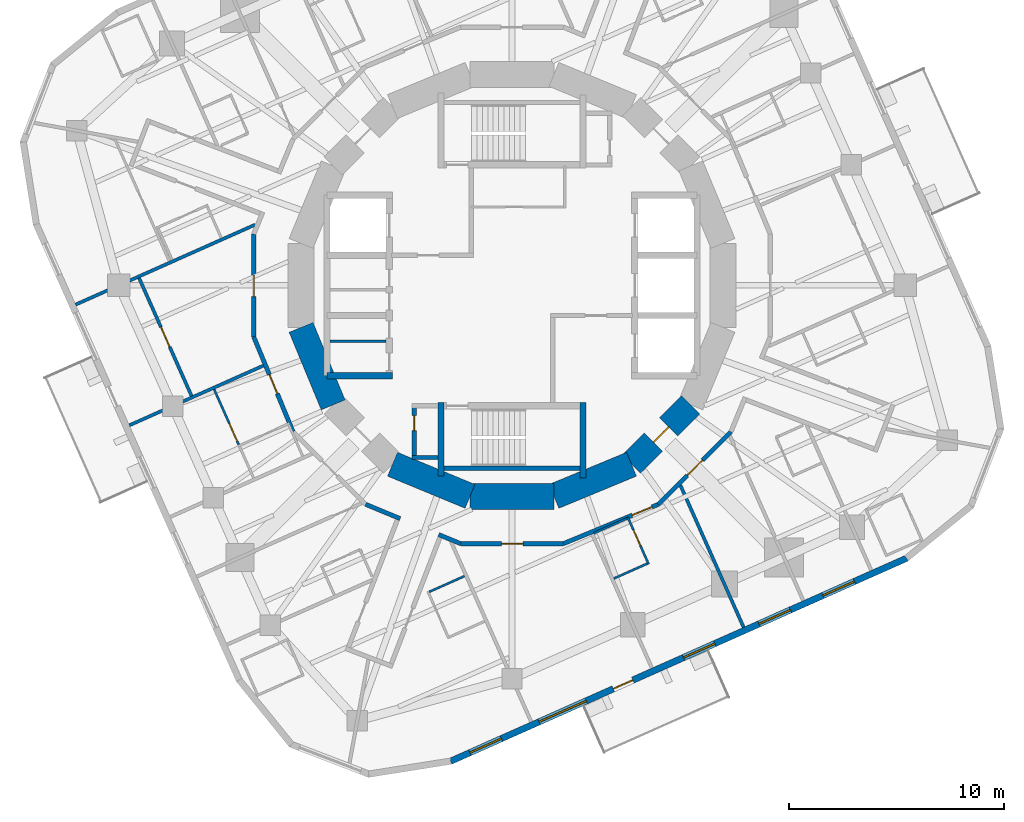
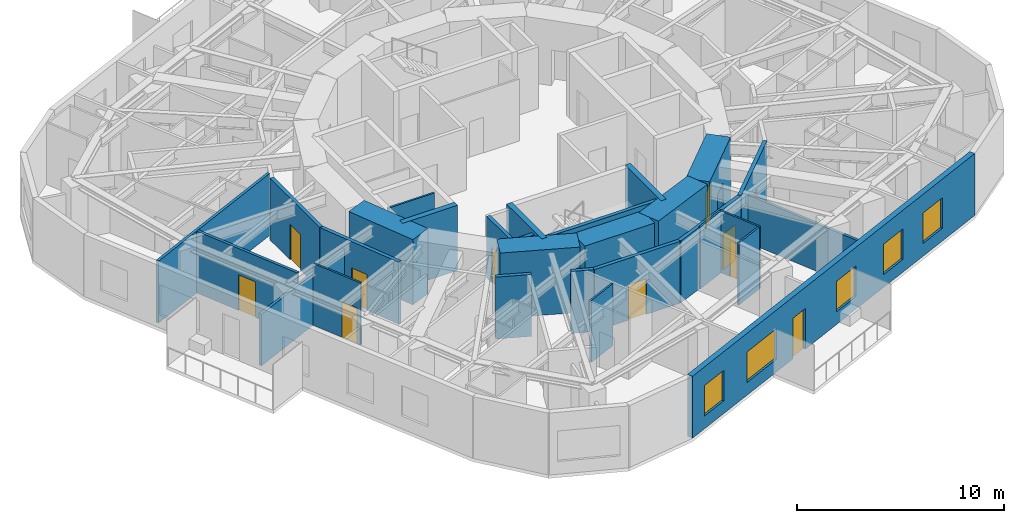
# One storey, part 5 of 12: 29 walls, 11 doors, 5 windows, 16 openings.
"""IFC4 building model written with IfcOpenShell, lengths in metres."""

from ifc_helpers import new_model, si_unit, direction, frame, frame_2d, origin, place, context, subcontext, project, spatial, rectangle, extrude, material, layer, layer_set, type_object, element, fill, save


model = new_model("IFC4")

# Units and contexts
model_context = context("Model", 3, precision=1e-05, world=origin(), true_north=direction((0.0, 1.0)))
body_context = subcontext(model_context, "Body", "Model", "MODEL_VIEW")
ifc_project = project(units=[si_unit("LENGTHUNIT", "METRE"), si_unit("AREAUNIT", "SQUARE_METRE"), si_unit("VOLUMEUNIT", "CUBIC_METRE"), si_unit("PLANEANGLEUNIT", "RADIAN"), si_unit("MASSUNIT", "GRAM", prefix="KILO")], contexts=[model_context])

# Site, building, storey
site_placement = place(None, origin())
site = spatial("IfcSite", under=ifc_project, at=site_placement, CompositionType="ELEMENT")
building_placement = place(site_placement, origin())
building = spatial("IfcBuilding", under=site, at=building_placement, Name="Nakasero Lantern House", CompositionType="ELEMENT")
storey_placement = place(building_placement, frame((0.0, 0.0, 213.25)))
storey = spatial("IfcBuildingStorey", under=building, at=storey_placement, Name="L52", CompositionType="ELEMENT", Elevation=213.25)

# Walls
ifc_material_1 = material(Name="Concrete C50/60", Category="concrete")
ifc_layer_1 = layer(ifc_material_1, 0.300048828125)
ifc_layer_set_1 = layer_set([ifc_layer_1], Name="Core inner wall 300")
wall_type_1 = type_object("IfcWallType", Name="Core inner wall 300", PredefinedType="SHEAR", material=ifc_layer_set_1)
wall_1_placement = place(storey_placement, frame((-8.60009765625, -4.199951171875, 0.0), z_axis=(0.0, 0.0, 1.0), x_axis=(1.0, 0.0, 0.0)))
element("IfcWall", 1, at=wall_1_placement, inside=storey, type_object=wall_type_1, Name="Core inner wall L52 LWS", PredefinedType="SHEAR", context=body_context, shape_type="SweptSolid", body=[
    extrude(rectangle(XDim=3.050048828125, YDim=0.300048828125, at=frame_2d((1.52490234375, 0.0))), origin(), (0.0, 0.0, 1.0), 3.85009765625),
])
wall_2_placement = place(storey_placement, frame((-3.300048828125, -5.449951171875, 0.0), z_axis=(0.0, 0.0, 1.0), x_axis=(0.0, -1.0, 0.0)))
element("IfcWall", 2, at=wall_2_placement, inside=storey, type_object=wall_type_1, Name="Core inner wall L52 SSW", PredefinedType="SHEAR", context=body_context, shape_type="SweptSolid", body=[
    extrude(rectangle(XDim=3.400146484375, YDim=0.300048828125, at=frame_2d((1.7001953125, 0.0))), origin(), (0.0, 0.0, 1.0), 3.85009765625),
])
wall_3_placement = place(storey_placement, frame((3.300048828125, -5.449951171875, 0.0), z_axis=(0.0, 0.0, 1.0), x_axis=(0.0, -1.0, 0.0)))
element("IfcWall", 3, at=wall_3_placement, inside=storey, type_object=wall_type_1, Name="Core inner wall L52 SSE", PredefinedType="SHEAR", context=body_context, shape_type="SweptSolid", body=[
    extrude(rectangle(XDim=3.5, YDim=0.300048828125, at=frame_2d((1.75, 0.0))), origin(), (0.0, 0.0, 1.0), 3.85009765625),
])
ifc_material_2 = material(Name="Blockwork", Category="masonry")
ifc_layer_2 = layer(ifc_material_2, 0.10009765625)
ifc_layer_set_2 = layer_set([ifc_layer_2], Name="Core room wall 100")
wall_type_2 = type_object("IfcWallType", Name="Core room wall 100", PredefinedType="PARTITIONING", material=ifc_layer_set_2)
wall_4_placement = place(storey_placement, frame((-8.449951171875, -2.60009765625, 0.0), z_axis=(0.0, 0.0, 1.0), x_axis=(1.0, 0.0, 0.0)))
element("IfcWall", 4, at=wall_4_placement, inside=storey, type_object=wall_type_2, Name="Core room wall L52 CR-SH-LW1b", PredefinedType="PARTITIONING", context=body_context, shape_type="SweptSolid", body=[
    extrude(rectangle(XDim=2.599853515625, YDim=0.10009765625, at=frame_2d((1.2998046875, 0.0))), origin(), (0.0, 0.0, 1.0), 3.64990234375),
])
ifc_material_3 = material(Name="Concrete C50/60", Category="concrete")
ifc_layer_3 = layer(ifc_material_3, 1.199951171875)
ifc_layer_set_3 = layer_set([ifc_layer_3], Name="Core wall 1200")
wall_type_3 = type_object("IfcWallType", Name="Core wall 1200", PredefinedType="SHEAR", material=ifc_layer_set_3)
for number, where, z_axis, x_axis, name in (
    (5, (-9.807861328125, -1.950927734375, 0.0), (0.0, 0.0, 1.0), (0.382690736062, -0.923876507187, 0.0), "Core wall L52 facet 9"),
    (6, (-5.5556640625, -8.314697265625, 0.0), (0.0, 0.0, 1.0), (0.923876507187, -0.382690736062, 0.0), "Core wall L52 facet 11"),
    (7, (-1.950927734375, -9.807861328125, 0.0), (0.0, 0.0, 1.0), (1.0, 0.0, 0.0), "Core wall L52 facet 12"),
    (8, (1.950927734375, -9.807861328125, 0.0), (0.0, 0.0, 1.0), (0.923876507187, 0.382690736062, 0.0), "Core wall L52 facet 13"),
):
    element("IfcWall", number, at=place(storey_placement, frame(where, z_axis=z_axis, x_axis=x_axis)), inside=storey, type_object=wall_type_3, Name=name, PredefinedType="SHEAR", context=body_context, shape_type="SweptSolid", body=[
        extrude(rectangle(XDim=3.90185546875, YDim=1.199951171875, at=frame_2d((1.950927734375, 0.0))), origin(), (0.0, 0.0, 1.0), 3.85009765625),
    ])

# Wall, opening, door
wall_5_placement = place(storey_placement, frame((5.5556640625, -8.314697265625, 0.0), z_axis=(0.0, 0.0, 1.0), x_axis=(0.707106781187, 0.707106781187, 0.0)))
wall_5 = element("IfcWall", 9, at=wall_5_placement, inside=storey, type_object=wall_type_3, Name="Core wall L52 facet 14", PredefinedType="SHEAR", context=body_context, shape_type="SweptSolid", body=[
    extrude(rectangle(XDim=3.90185546875, YDim=1.199951171875, at=frame_2d((1.950927734375, 0.0))), origin(), (0.0, 0.0, 1.0), 3.85009765625),
])
opening_1_placement = place(wall_5_placement, frame((1.450927734375, 0.0, 0.0)))
opening_1 = element("IfcOpeningElement", 10, at=opening_1_placement, cuts=wall_5, Name="Opening D05", PredefinedType="OPENING", context=body_context, shape_type="SweptSolid", body=[
    extrude(rectangle(XDim=1.0, YDim=2.10009765625, at=frame_2d((0.5, 1.050048828125))), frame((0.0, 0.619873046875, 0.0), z_axis=(0.0, -1.0, 0.0), x_axis=(1.0, 0.0, 0.0)), (0.0, 0.0, 1.0), 1.239990234375),
])
ifc_material_4 = material(Name="Timber C24", Category="wood")
door_type_1 = type_object("IfcDoorType", Name="Core door FD60S 1000", OperationType="SINGLE_SWING_LEFT", PredefinedType="DOOR", material=ifc_material_4)
door_1_placement = place(opening_1_placement, origin())
door_1 = element("IfcDoor", 11, at=door_1_placement, inside=storey, type_object=door_type_1, Name="Door L52 D-CORE14", OperationType="SINGLE_SWING_LEFT", OverallHeight=2.10009765625, OverallWidth=1.0, PredefinedType="DOOR", context=body_context, shape_type="SweptSolid", body=[
    extrude(rectangle(XDim=1.0, YDim=2.10009765625, at=frame_2d((0.5, 1.050048828125))), frame((0.0, 0.02490234375, 0.0), z_axis=(0.0, -1.0, 0.0), x_axis=(1.0, 0.0, 0.0)), (0.0, 0.0, 1.0), 0.050048828125),
])
fill(opening_1, door_1)

ifc_material_5 = material(Name="Blockwork", Category="masonry")
ifc_layer_4 = layer(ifc_material_5, 0.199951171875)
ifc_layer_set_4 = layer_set([ifc_layer_4], Name="Corridor wall 200")
wall_type_4 = type_object("IfcWallType", Name="Corridor wall 200", PredefinedType="PARTITIONING", material=ifc_layer_set_4)
wall_6_placement = place(storey_placement, frame((10.1796875, -6.802001953125, 0.0), z_axis=(0.0, 0.0, 1.0), x_axis=(-0.707106781187, -0.707106781187, 0.0)))
wall_6 = element("IfcWall", 12, at=wall_6_placement, inside=storey, type_object=wall_type_4, Name="Corridor wall L52 RC02a", PredefinedType="PARTITIONING", context=body_context, shape_type="SweptSolid", body=[
    extrude(rectangle(XDim=4.77685546875, YDim=0.199951171875, at=frame_2d((2.388427734375, 0.0))), origin(), (0.0, 0.0, 1.0), 3.64990234375),
])
opening_2_placement = place(wall_6_placement, frame((1.8701171875, 0.0, 0.0)))
opening_2 = element("IfcOpeningElement", 13, at=opening_2_placement, cuts=wall_6, Name="Opening D14", PredefinedType="OPENING", context=body_context, shape_type="SweptSolid", body=[
    extrude(rectangle(XDim=1.0, YDim=2.10009765625, at=frame_2d((0.5, 1.050048828125))), frame((0.0, 0.119873046875, 0.0), z_axis=(0.0, -1.0, 0.0), x_axis=(1.0, 0.0, 0.0)), (0.0, 0.0, 1.0), 0.239990234375),
])
ifc_material_6 = material(Name="Timber C24", Category="wood")
door_type_2 = type_object("IfcDoorType", Name="Cluster entrance door FD30S 1000", OperationType="SINGLE_SWING_LEFT", PredefinedType="DOOR", material=ifc_material_6)
door_2_placement = place(opening_2_placement, origin())
door_2 = element("IfcDoor", 14, at=door_2_placement, inside=storey, type_object=door_type_2, Name="Door L52 D3-04", OperationType="SINGLE_SWING_LEFT", OverallHeight=2.10009765625, OverallWidth=1.0, PredefinedType="DOOR", context=body_context, shape_type="SweptSolid", body=[
    extrude(rectangle(XDim=1.0, YDim=2.10009765625, at=frame_2d((0.5, 1.050048828125))), frame((0.0, 0.02490234375, 0.0), z_axis=(0.0, -1.0, 0.0), x_axis=(1.0, 0.0, 0.0)), (0.0, 0.0, 1.0), 0.050048828125),
])
fill(opening_2, door_2)

wall_7_placement = place(storey_placement, frame((6.802001953125, -10.1796875, 0.0), z_axis=(0.0, 0.0, 1.0), x_axis=(-0.923882292998, -0.382676767893, 0.0)))
wall_7 = element("IfcWall", 15, at=wall_7_placement, inside=storey, type_object=wall_type_4, Name="Corridor wall L52 RC03a", PredefinedType="PARTITIONING", context=body_context, shape_type="SweptSolid", body=[
    extrude(rectangle(XDim=4.777099609375, YDim=0.199951171875, at=frame_2d((2.388671875, 0.0))), origin(), (0.0, 0.0, 1.0), 3.64990234375),
])
opening_3_placement = place(wall_7_placement, frame((0.320068359375, 0.0, 0.0)))
opening_3 = element("IfcOpeningElement", 16, at=opening_3_placement, cuts=wall_7, Name="Opening D07", PredefinedType="OPENING", context=body_context, shape_type="SweptSolid", body=[
    extrude(rectangle(XDim=1.0, YDim=2.10009765625, at=frame_2d((0.5, 1.050048828125))), frame((0.0, 0.119873046875, 0.0), z_axis=(0.0, -1.0, 0.0), x_axis=(1.0, 0.0, 0.0)), (0.0, 0.0, 1.0), 0.239990234375),
])
ifc_material_7 = material(Name="Timber C24", Category="wood")
door_type_3 = type_object("IfcDoorType", Name="Room door FD30S 1000", OperationType="SINGLE_SWING_LEFT", PredefinedType="DOOR", material=ifc_material_7)
door_3_placement = place(opening_3_placement, origin())
door_3 = element("IfcDoor", 17, at=door_3_placement, inside=storey, type_object=door_type_3, Name="Door L52 D3-03", OperationType="SINGLE_SWING_LEFT", OverallHeight=2.10009765625, OverallWidth=1.0, PredefinedType="DOOR", context=body_context, shape_type="SweptSolid", body=[
    extrude(rectangle(XDim=1.0, YDim=2.10009765625, at=frame_2d((0.5, 1.050048828125))), frame((0.0, 0.02490234375, 0.0), z_axis=(0.0, -1.0, 0.0), x_axis=(1.0, 0.0, 0.0)), (0.0, 0.0, 1.0), 0.050048828125),
])
fill(opening_3, door_3)

wall_8_placement = place(storey_placement, frame((2.388427734375, -12.0078125, 0.0), z_axis=(0.0, 0.0, 1.0), x_axis=(-1.0, 0.0, 0.0)))
wall_8 = element("IfcWall", 18, at=wall_8_placement, inside=storey, type_object=wall_type_4, Name="Corridor wall L52 RC04a", PredefinedType="PARTITIONING", context=body_context, shape_type="SweptSolid", body=[
    extrude(rectangle(XDim=4.77685546875, YDim=0.199951171875, at=frame_2d((2.388427734375, 0.0))), origin(), (0.0, 0.0, 1.0), 3.64990234375),
])
opening_4_placement = place(wall_8_placement, frame((1.8701171875, 0.0, 0.0)))
opening_4 = element("IfcOpeningElement", 19, at=opening_4_placement, cuts=wall_8, Name="Opening D03", PredefinedType="OPENING", context=body_context, shape_type="SweptSolid", body=[
    extrude(rectangle(XDim=1.0, YDim=2.10009765625, at=frame_2d((0.5, 1.050048828125))), frame((0.0, 0.119873046875, 0.0), z_axis=(0.0, -1.0, 0.0), x_axis=(1.0, 0.0, 0.0)), (0.0, 0.0, 1.0), 0.239990234375),
])
ifc_material_8 = material(Name="Timber C24", Category="wood")
door_type_4 = type_object("IfcDoorType", Name="Lounge door FD30S 1000", OperationType="SINGLE_SWING_LEFT", PredefinedType="DOOR", material=ifc_material_8)
door_4_placement = place(opening_4_placement, origin())
door_4 = element("IfcDoor", 20, at=door_4_placement, inside=storey, type_object=door_type_4, Name="Door L52 DK3", OperationType="SINGLE_SWING_LEFT", OverallHeight=2.10009765625, OverallWidth=1.0, PredefinedType="DOOR", context=body_context, shape_type="SweptSolid", body=[
    extrude(rectangle(XDim=1.0, YDim=2.10009765625, at=frame_2d((0.5, 1.050048828125))), frame((0.0, 0.02490234375, 0.0), z_axis=(0.0, -1.0, 0.0), x_axis=(1.0, 0.0, 0.0)), (0.0, 0.0, 1.0), 0.050048828125),
])
fill(opening_4, door_4)

# Walls
wall_9_placement = place(storey_placement, frame((-2.388427734375, -12.0078125, 0.0), z_axis=(0.0, 0.0, 1.0), x_axis=(-0.923892830031, 0.382651327736, 0.0)))
element("IfcWall", 21, at=wall_9_placement, inside=storey, type_object=wall_type_4, Name="Corridor wall L52 RC05a", PredefinedType="PARTITIONING", context=body_context, shape_type="SweptSolid", body=[
    extrude(rectangle(XDim=1.103759765625, YDim=0.199951171875, at=frame_2d((0.5517578125, 0.0))), origin(), (0.0, 0.0, 1.0), 3.64990234375),
])
wall_10_placement = place(storey_placement, frame((-5.201171875, -10.8427734375, 0.0), z_axis=(0.0, 0.0, 1.0), x_axis=(-0.923879449244, 0.382683633391, 0.0)))
element("IfcWall", 22, at=wall_10_placement, inside=storey, type_object=wall_type_4, Name="Corridor wall L52 RC05b", PredefinedType="PARTITIONING", context=body_context, shape_type="SweptSolid", body=[
    extrude(rectangle(XDim=1.732666015625, YDim=0.199951171875, at=frame_2d((0.8662109375, 0.0))), origin(), (0.0, 0.0, 1.0), 3.64990234375),
])

# Wall, opening, door
wall_11_placement = place(storey_placement, frame((-10.1796875, -6.802001953125, 0.0), z_axis=(0.0, 0.0, 1.0), x_axis=(-0.382676767893, 0.923882292998, 0.0)))
wall_11 = element("IfcWall", 23, at=wall_11_placement, inside=storey, type_object=wall_type_4, Name="Corridor wall L52 RC07a", PredefinedType="PARTITIONING", context=body_context, shape_type="SweptSolid", body=[
    extrude(rectangle(XDim=4.777099609375, YDim=0.199951171875, at=frame_2d((2.388671875, 0.0))), origin(), (0.0, 0.0, 1.0), 3.64990234375),
])
opening_5_placement = place(wall_11_placement, frame((1.919921875, 0.0, 0.0)))
opening_5 = element("IfcOpeningElement", 24, at=opening_5_placement, cuts=wall_11, Name="Opening D01", PredefinedType="OPENING", context=body_context, shape_type="SweptSolid", body=[
    extrude(rectangle(XDim=0.949951171875, YDim=2.10009765625, at=frame_2d((0.47509765625, 1.050048828125))), frame((0.0, 0.119873046875, 0.0), z_axis=(0.0, -1.0, 0.0), x_axis=(1.0, 0.0, 0.0)), (0.0, 0.0, 1.0), 0.239990234375),
])
ifc_material_9 = material(Name="Timber C24", Category="wood")
door_type_5 = type_object("IfcDoorType", Name="Bedroom door FD30S 950", OperationType="SINGLE_SWING_LEFT", PredefinedType="DOOR", material=ifc_material_9)
door_5_placement = place(opening_5_placement, origin())
door_5 = element("IfcDoor", 25, at=door_5_placement, inside=storey, type_object=door_type_5, Name="Door L52 D2-03", OperationType="SINGLE_SWING_RIGHT", OverallHeight=2.10009765625, OverallWidth=0.949951171875, PredefinedType="DOOR", context=body_context, shape_type="SweptSolid", body=[
    extrude(rectangle(XDim=0.949951171875, YDim=2.10009765625, at=frame_2d((0.47509765625, 1.050048828125))), frame((0.0, 0.02490234375, 0.0), z_axis=(0.0, -1.0, 0.0), x_axis=(1.0, 0.0, 0.0)), (0.0, 0.0, 1.0), 0.050048828125),
])
fill(opening_5, door_5)

wall_12_placement = place(storey_placement, frame((-12.0078125, -2.388427734375, 0.0), z_axis=(0.0, 0.0, 1.0), x_axis=(0.0, 1.0, 0.0)))
wall_12 = element("IfcWall", 26, at=wall_12_placement, inside=storey, type_object=wall_type_4, Name="Corridor wall L52 RC08a", PredefinedType="PARTITIONING", context=body_context, shape_type="SweptSolid", body=[
    extrude(rectangle(XDim=4.77685546875, YDim=0.199951171875, at=frame_2d((2.388427734375, 0.0))), origin(), (0.0, 0.0, 1.0), 3.64990234375),
])
opening_6_placement = place(wall_12_placement, frame((1.8701171875, 0.0, 0.0)))
opening_6 = element("IfcOpeningElement", 27, at=opening_6_placement, cuts=wall_12, Name="Opening D03", PredefinedType="OPENING", context=body_context, shape_type="SweptSolid", body=[
    extrude(rectangle(XDim=1.0, YDim=2.10009765625, at=frame_2d((0.5, 1.050048828125))), frame((0.0, 0.119873046875, 0.0), z_axis=(0.0, -1.0, 0.0), x_axis=(1.0, 0.0, 0.0)), (0.0, 0.0, 1.0), 0.239990234375),
])
door_6_placement = place(opening_6_placement, origin())
door_6 = element("IfcDoor", 28, at=door_6_placement, inside=storey, type_object=door_type_4, Name="Door L52 DK2", OperationType="SINGLE_SWING_LEFT", OverallHeight=2.10009765625, OverallWidth=1.0, PredefinedType="DOOR", context=body_context, shape_type="SweptSolid", body=[
    extrude(rectangle(XDim=1.0, YDim=2.10009765625, at=frame_2d((0.5, 1.050048828125))), frame((0.0, 0.02490234375, 0.0), z_axis=(0.0, -1.0, 0.0), x_axis=(1.0, 0.0, 0.0)), (0.0, 0.0, 1.0), 0.050048828125),
])
fill(opening_6, door_6)

# Wall
ifc_material_10 = material(Name="Blockwork", Category="masonry")
ifc_layer_5 = layer(ifc_material_10, 0.10009765625)
ifc_layer_set_5 = layer_set([ifc_layer_5], Name="En-suite wall 100")
wall_type_5 = type_object("IfcWallType", Name="En-suite wall 100", PredefinedType="PARTITIONING", material=ifc_layer_set_5)
wall_13_placement = place(storey_placement, frame((-3.84814453125, -14.246826171875, 0.0), z_axis=(0.0, 0.0, 1.0), x_axis=(0.913576462288, 0.406666998358, 0.0)))
element("IfcWall", 29, at=wall_13_placement, inside=storey, type_object=wall_type_5, Name="En-suite wall L52 EI3-00", PredefinedType="PARTITIONING", context=body_context, shape_type="SweptSolid", body=[
    extrude(rectangle(XDim=1.7998046875, YDim=0.10009765625, at=frame_2d((0.89990234375, 0.0))), origin(), (0.0, 0.0, 1.0), 3.64990234375),
])

# Wall, opening, door
wall_14_placement = place(storey_placement, frame((5.376953125, -10.7685546875, 0.0), z_axis=(0.0, 0.0, 1.0), x_axis=(0.406685806039, -0.913568090055, 0.0)))
wall_14 = element("IfcWall", 30, at=wall_14_placement, inside=storey, type_object=wall_type_5, Name="En-suite wall L52 ES3-03", PredefinedType="PARTITIONING", context=body_context, shape_type="SweptSolid", body=[
    extrude(rectangle(XDim=2.400146484375, YDim=0.10009765625, at=frame_2d((1.2001953125, 0.0))), origin(), (0.0, 0.0, 1.0), 3.64990234375),
])
opening_7_placement = place(wall_14_placement, frame((0.64990234375, 0.0, 0.0)))
opening_7 = element("IfcOpeningElement", 31, at=opening_7_placement, cuts=wall_14, Name="Opening D15", PredefinedType="OPENING", context=body_context, shape_type="SweptSolid", body=[
    extrude(rectangle(XDim=0.800048828125, YDim=2.10009765625, at=frame_2d((0.39990234375, 1.050048828125))), frame((0.0, 0.070068359375, 0.0), z_axis=(0.0, -1.0, 0.0), x_axis=(1.0, 0.0, 0.0)), (0.0, 0.0, 1.0), 0.14013671875),
])
ifc_material_11 = material(Name="Timber C24", Category="wood")
door_type_6 = type_object("IfcDoorType", Name="Cleaner's store door FD30S 800", OperationType="SINGLE_SWING_LEFT", PredefinedType="DOOR", material=ifc_material_11)
door_7_placement = place(opening_7_placement, origin())
door_7 = element("IfcDoor", 32, at=door_7_placement, inside=storey, type_object=door_type_6, Name="Door L52 DE3-03", OperationType="SINGLE_SWING_LEFT", OverallHeight=2.10009765625, OverallWidth=0.800048828125, PredefinedType="DOOR", context=body_context, shape_type="SweptSolid", body=[
    extrude(rectangle(XDim=0.800048828125, YDim=2.10009765625, at=frame_2d((0.39990234375, 1.050048828125))), frame((0.0, 0.02490234375, 0.0), z_axis=(0.0, -1.0, 0.0), x_axis=(1.0, 0.0, 0.0)), (0.0, 0.0, 1.0), 0.050048828125),
])
fill(opening_7, door_7)

# Walls
for number, where, z_axis, x_axis, name in (
    (33, (4.734130859375, -13.627197265625, 0.0), (0.0, 0.0, 1.0), (0.913550776237, 0.406724697108, 0.0), "En-suite wall L52 EE3-03"),
    (34, (3.798583984375, -11.526123046875, 0.0), (0.0, 0.0, 1.0), (0.913550776237, 0.406724697108, 0.0), "En-suite wall L52 EI3-03"),
):
    element("IfcWall", number, at=place(storey_placement, frame(where, z_axis=z_axis, x_axis=x_axis)), inside=storey, type_object=wall_type_5, Name=name, PredefinedType="PARTITIONING", context=body_context, shape_type="SweptSolid", body=[
        extrude(rectangle(XDim=1.699951171875, YDim=0.10009765625, at=frame_2d((0.85009765625, 0.0))), origin(), (0.0, 0.0, 1.0), 3.64990234375),
    ])

# Wall, opening, door
wall_15_placement = place(storey_placement, frame((-13.848388671875, -4.83251953125, 0.0), z_axis=(0.0, 0.0, 1.0), x_axis=(0.406701600856, -0.913561058639, 0.0)))
wall_15 = element("IfcWall", 35, at=wall_15_placement, inside=storey, type_object=wall_type_5, Name="En-suite wall L52 EL2-03", PredefinedType="PARTITIONING", context=body_context, shape_type="SweptSolid", body=[
    extrude(rectangle(XDim=2.8154296875, YDim=0.10009765625, at=frame_2d((1.40771484375, 0.0))), origin(), (0.0, 0.0, 1.0), 3.64990234375),
])
opening_8_placement = place(wall_15_placement, frame((1.71533203125, 0.0, 0.0)))
opening_8 = element("IfcOpeningElement", 36, at=opening_8_placement, cuts=wall_15, Name="Opening D17", PredefinedType="OPENING", context=body_context, shape_type="SweptSolid", body=[
    extrude(rectangle(XDim=0.89990234375, YDim=2.10009765625, at=frame_2d((0.449951171875, 1.050048828125))), frame((0.0, 0.070068359375, 0.0), z_axis=(0.0, -1.0, 0.0), x_axis=(1.0, 0.0, 0.0)), (0.0, 0.0, 1.0), 0.14013671875),
])
ifc_material_12 = material(Name="Timber C24", Category="wood")
door_type_7 = type_object("IfcDoorType", Name="Bedroom door FD30S 900", OperationType="SINGLE_SWING_LEFT", PredefinedType="DOOR", material=ifc_material_12)
door_8_placement = place(opening_8_placement, origin())
door_8 = element("IfcDoor", 37, at=door_8_placement, inside=storey, type_object=door_type_7, Name="Door L52 DL2-03", OperationType="SINGLE_SWING_RIGHT", OverallHeight=2.10009765625, OverallWidth=0.89990234375, PredefinedType="DOOR", context=body_context, shape_type="SweptSolid", body=[
    extrude(rectangle(XDim=0.89990234375, YDim=2.10009765625, at=frame_2d((0.449951171875, 1.050048828125))), frame((0.0, 0.02490234375, 0.0), z_axis=(0.0, -1.0, 0.0), x_axis=(1.0, 0.0, 0.0)), (0.0, 0.0, 1.0), 0.050048828125),
])
fill(opening_8, door_8)

# Wall, openings, door, windows
ifc_material_13 = material(Name="Aluminium rainscreen on blockwork", Category="masonry")
ifc_layer_6 = layer(ifc_material_13, 0.300048828125)
ifc_layer_set_6 = layer_set([ifc_layer_6], Name="Facade wall 300")
wall_type_6 = type_object("IfcWallType", Name="Facade wall 300", PredefinedType="SOLIDWALL", material=ifc_layer_set_6)
wall_16_placement = place(storey_placement, frame((-2.848876953125, -22.12109375, 0.0), z_axis=(0.0, 0.0, 1.0), x_axis=(0.913546210851, 0.406734951338, 0.0)))
wall_16 = element("IfcWall", 38, at=wall_16_placement, inside=storey, type_object=wall_type_6, Name="Facade wall L52 FW3S", PredefinedType="SOLIDWALL", context=body_context, shape_type="SweptSolid", body=[
    extrude(rectangle(XDim=23.199951171875, YDim=0.300048828125, at=frame_2d((11.60009765625, 0.0))), origin(), (0.0, 0.0, 1.0), 3.64990234375),
])
opening_9_placement = place(wall_16_placement, frame((0.982421875, 0.0, 0.75)))
opening_9 = element("IfcOpeningElement", 39, at=opening_9_placement, cuts=wall_16, Name="Opening W01", PredefinedType="OPENING", context=body_context, shape_type="SweptSolid", body=[
    extrude(rectangle(XDim=1.60009765625, YDim=1.800048828125, at=frame_2d((0.800048828125, 0.89990234375))), frame((0.0, 0.169921875, 0.0), z_axis=(0.0, -1.0, 0.0), x_axis=(1.0, 0.0, 0.0)), (0.0, 0.0, 1.0), 0.340087890625),
])
opening_10_placement = place(wall_16_placement, frame((11.83984375, 0.0, 0.75)))
opening_10 = element("IfcOpeningElement", 40, at=opening_10_placement, cuts=wall_16, Name="Opening W01", PredefinedType="OPENING", context=body_context, shape_type="SweptSolid", body=[
    extrude(rectangle(XDim=1.60009765625, YDim=1.800048828125, at=frame_2d((0.800048828125, 0.89990234375))), frame((0.0, 0.169921875, 0.0), z_axis=(0.0, -1.0, 0.0), x_axis=(1.0, 0.0, 0.0)), (0.0, 0.0, 1.0), 0.340087890625),
])
opening_11_placement = place(wall_16_placement, frame((15.69140625, 0.0, 0.75)))
opening_11 = element("IfcOpeningElement", 41, at=opening_11_placement, cuts=wall_16, Name="Opening W01", PredefinedType="OPENING", context=body_context, shape_type="SweptSolid", body=[
    extrude(rectangle(XDim=1.60009765625, YDim=1.800048828125, at=frame_2d((0.800048828125, 0.89990234375))), frame((0.0, 0.169921875, 0.0), z_axis=(0.0, -1.0, 0.0), x_axis=(1.0, 0.0, 0.0)), (0.0, 0.0, 1.0), 0.340087890625),
])
opening_12_placement = place(wall_16_placement, frame((18.940185546875, 0.0, 0.75)))
opening_12 = element("IfcOpeningElement", 42, at=opening_12_placement, cuts=wall_16, Name="Opening W01", PredefinedType="OPENING", context=body_context, shape_type="SweptSolid", body=[
    extrude(rectangle(XDim=1.60009765625, YDim=1.800048828125, at=frame_2d((0.800048828125, 0.89990234375))), frame((0.0, 0.169921875, 0.0), z_axis=(0.0, -1.0, 0.0), x_axis=(1.0, 0.0, 0.0)), (0.0, 0.0, 1.0), 0.340087890625),
])
opening_13_placement = place(wall_16_placement, frame((4.500244140625, 0.0, 0.75)))
opening_13 = element("IfcOpeningElement", 43, at=opening_13_placement, cuts=wall_16, Name="Opening W03", PredefinedType="OPENING", context=body_context, shape_type="SweptSolid", body=[
    extrude(rectangle(XDim=2.39990234375, YDim=1.800048828125, at=frame_2d((1.199951171875, 0.89990234375))), frame((0.0, 0.169921875, 0.0), z_axis=(0.0, -1.0, 0.0), x_axis=(1.0, 0.0, 0.0)), (0.0, 0.0, 1.0), 0.340087890625),
])
opening_14_placement = place(wall_16_placement, frame((8.271484375, 0.0, 0.0)))
opening_14 = element("IfcOpeningElement", 44, at=opening_14_placement, cuts=wall_16, Name="Opening D04", PredefinedType="OPENING", context=body_context, shape_type="SweptSolid", body=[
    extrude(rectangle(XDim=1.0, YDim=2.39990234375, at=frame_2d((0.5, 1.199951171875))), frame((0.0, 0.169921875, 0.0), z_axis=(0.0, -1.0, 0.0), x_axis=(1.0, 0.0, 0.0)), (0.0, 0.0, 1.0), 0.340087890625),
])
ifc_material_14 = material(Name="Aluminium 6063-T6 and glass", Category="aluminium")
door_type_8 = type_object("IfcDoorType", Name="Balcony door 1000x2400", OperationType="SINGLE_SWING_RIGHT", PredefinedType="DOOR", material=ifc_material_14)
door_9_placement = place(opening_14_placement, origin())
door_9 = element("IfcDoor", 45, at=door_9_placement, inside=storey, type_object=door_type_8, Name="Balcony door L52 DB3", OperationType="SINGLE_SWING_RIGHT", OverallHeight=2.39990234375, OverallWidth=1.0, PredefinedType="DOOR", context=body_context, shape_type="SweptSolid", body=[
    extrude(rectangle(XDim=1.0, YDim=2.39990234375, at=frame_2d((0.5, 1.199951171875))), frame((0.0, 0.02490234375, 0.0), z_axis=(0.0, -1.0, 0.0), x_axis=(1.0, 0.0, 0.0)), (0.0, 0.0, 1.0), 0.050048828125),
])
fill(opening_14, door_9)
ifc_material_15 = material(Name="Aluminium 6063-T6 and glass", Category="aluminium")
window_type_1 = type_object("IfcWindowType", Name="Bedroom window 1600x1800", PartitioningType="SINGLE_PANEL", PredefinedType="WINDOW", material=ifc_material_15)
window_1_placement = place(opening_9_placement, origin())
window_1 = element("IfcWindow", 46, at=window_1_placement, inside=storey, type_object=window_type_1, Name="Window L52 WN3-00", OverallHeight=1.800048828125, OverallWidth=1.60009765625, PartitioningType="SINGLE_PANEL", PredefinedType="WINDOW", context=body_context, shape_type="SweptSolid", body=[
    extrude(rectangle(XDim=1.60009765625, YDim=1.800048828125, at=frame_2d((0.800048828125, 0.89990234375))), frame((0.0, 0.030029296875, 0.0), z_axis=(0.0, -1.0, 0.0), x_axis=(1.0, 0.0, 0.0)), (0.0, 0.0, 1.0), 0.06005859375),
])
fill(opening_9, window_1)
window_2_placement = place(opening_10_placement, origin())
window_2 = element("IfcWindow", 47, at=window_2_placement, inside=storey, type_object=window_type_1, Name="Window L52 WN3-03", OverallHeight=1.800048828125, OverallWidth=1.60009765625, PartitioningType="SINGLE_PANEL", PredefinedType="WINDOW", context=body_context, shape_type="SweptSolid", body=[
    extrude(rectangle(XDim=1.60009765625, YDim=1.800048828125, at=frame_2d((0.800048828125, 0.89990234375))), frame((0.0, 0.030029296875, 0.0), z_axis=(0.0, -1.0, 0.0), x_axis=(1.0, 0.0, 0.0)), (0.0, 0.0, 1.0), 0.06005859375),
])
fill(opening_10, window_2)
window_3_placement = place(opening_11_placement, origin())
window_3 = element("IfcWindow", 48, at=window_3_placement, inside=storey, type_object=window_type_1, Name="Window L52 WN3-04", OverallHeight=1.800048828125, OverallWidth=1.60009765625, PartitioningType="SINGLE_PANEL", PredefinedType="WINDOW", context=body_context, shape_type="SweptSolid", body=[
    extrude(rectangle(XDim=1.60009765625, YDim=1.800048828125, at=frame_2d((0.800048828125, 0.89990234375))), frame((0.0, 0.030029296875, 0.0), z_axis=(0.0, -1.0, 0.0), x_axis=(1.0, 0.0, 0.0)), (0.0, 0.0, 1.0), 0.06005859375),
])
fill(opening_11, window_3)
window_4_placement = place(opening_12_placement, origin())
window_4 = element("IfcWindow", 49, at=window_4_placement, inside=storey, type_object=window_type_1, Name="Window L52 WN3-05", OverallHeight=1.800048828125, OverallWidth=1.60009765625, PartitioningType="SINGLE_PANEL", PredefinedType="WINDOW", context=body_context, shape_type="SweptSolid", body=[
    extrude(rectangle(XDim=1.60009765625, YDim=1.800048828125, at=frame_2d((0.800048828125, 0.89990234375))), frame((0.0, 0.030029296875, 0.0), z_axis=(0.0, -1.0, 0.0), x_axis=(1.0, 0.0, 0.0)), (0.0, 0.0, 1.0), 0.06005859375),
])
fill(opening_12, window_4)
ifc_material_16 = material(Name="Aluminium 6063-T6 and glass", Category="aluminium")
window_type_2 = type_object("IfcWindowType", Name="Lounge window 2400x1800", PartitioningType="SINGLE_PANEL", PredefinedType="WINDOW", material=ifc_material_16)
window_5_placement = place(opening_13_placement, origin())
window_5 = element("IfcWindow", 50, at=window_5_placement, inside=storey, type_object=window_type_2, Name="Window L52 WK3", OverallHeight=1.800048828125, OverallWidth=2.39990234375, PartitioningType="SINGLE_PANEL", PredefinedType="WINDOW", context=body_context, shape_type="SweptSolid", body=[
    extrude(rectangle(XDim=2.39990234375, YDim=1.800048828125, at=frame_2d((1.199951171875, 0.89990234375))), frame((0.0, 0.030029296875, 0.0), z_axis=(0.0, -1.0, 0.0), x_axis=(1.0, 0.0, 0.0)), (0.0, 0.0, 1.0), 0.06005859375),
])
fill(opening_13, window_5)

# Wall, opening, door
ifc_material_17 = material(Name="Blockwork", Category="masonry")
ifc_layer_7 = layer(ifc_material_17, 0.199951171875)
ifc_layer_set_7 = layer_set([ifc_layer_7], Name="Fire lobby wall 200")
wall_type_7 = type_object("IfcWallType", Name="Fire lobby wall 200", PredefinedType="PARTITIONING", material=ifc_layer_set_7)
wall_17_placement = place(storey_placement, frame((-4.550048828125, -5.60009765625, 0.0), z_axis=(0.0, 0.0, 1.0), x_axis=(0.0, -1.0, 0.0)))
wall_17 = element("IfcWall", 51, at=wall_17_placement, inside=storey, type_object=wall_type_7, Name="Fire lobby wall L52 W-RS2W", PredefinedType="PARTITIONING", context=body_context, shape_type="SweptSolid", body=[
    extrude(rectangle(XDim=2.39990234375, YDim=0.199951171875, at=frame_2d((1.199951171875, 0.0))), origin(), (0.0, 0.0, 1.0), 3.64990234375),
])
opening_15_placement = place(wall_17_placement, frame((0.449951171875, 0.0, 0.0)))
opening_15 = element("IfcOpeningElement", 52, at=opening_15_placement, cuts=wall_17, Name="Opening D06", PredefinedType="OPENING", context=body_context, shape_type="SweptSolid", body=[
    extrude(rectangle(XDim=0.699951171875, YDim=2.10009765625, at=frame_2d((0.35009765625, 1.050048828125))), frame((0.0, 0.119873046875, 0.0), z_axis=(0.0, -1.0, 0.0), x_axis=(1.0, 0.0, 0.0)), (0.0, 0.0, 1.0), 0.239990234375),
])
ifc_material_18 = material(Name="Steel S355", Category="steel")
door_type_9 = type_object("IfcDoorType", Name="Riser door FD60 700", OperationType="SINGLE_SWING_LEFT", PredefinedType="DOOR", material=ifc_material_18)
door_10_placement = place(opening_15_placement, origin())
door_10 = element("IfcDoor", 53, at=door_10_placement, inside=storey, type_object=door_type_9, Name="Door L52 D-RS2", OperationType="SINGLE_SWING_LEFT", OverallHeight=2.10009765625, OverallWidth=0.699951171875, PredefinedType="DOOR", context=body_context, shape_type="SweptSolid", body=[
    extrude(rectangle(XDim=0.699951171875, YDim=2.10009765625, at=frame_2d((0.35009765625, 1.050048828125))), frame((0.0, 0.02490234375, 0.0), z_axis=(0.0, -1.0, 0.0), x_axis=(1.0, 0.0, 0.0)), (0.0, 0.0, 1.0), 0.050048828125),
])
fill(opening_15, door_10)

# Walls
wall_18_placement = place(storey_placement, frame((-3.449951171875, -8.0, 0.0), z_axis=(0.0, 0.0, 1.0), x_axis=(-1.0, 0.0, 0.0)))
element("IfcWall", 54, at=wall_18_placement, inside=storey, type_object=wall_type_7, Name="Fire lobby wall L52 W-RS2S", PredefinedType="PARTITIONING", context=body_context, shape_type="SweptSolid", body=[
    extrude(rectangle(XDim=1.199951171875, YDim=0.199951171875, at=frame_2d((0.60009765625, 0.0))), origin(), (0.0, 0.0, 1.0), 3.64990234375),
])
wall_19_placement = place(storey_placement, frame((-3.300048828125, -8.5, 0.0), z_axis=(0.0, 0.0, 1.0), x_axis=(1.0, 0.0, 0.0)))
element("IfcWall", 55, at=wall_19_placement, inside=storey, type_object=wall_type_7, Name="Fire lobby wall L52 W-STS", PredefinedType="PARTITIONING", context=body_context, shape_type="SweptSolid", body=[
    extrude(rectangle(XDim=6.60009765625, YDim=0.199951171875, at=frame_2d((3.300048828125, 0.0))), origin(), (0.0, 0.0, 1.0), 3.64990234375),
])
ifc_material_19 = material(Name="Blockwork", Category="masonry")
ifc_layer_8 = layer(ifc_material_19, 0.14990234375)
ifc_layer_set_8 = layer_set([ifc_layer_8], Name="Party wall 150")
wall_type_8 = type_object("IfcWallType", Name="Party wall 150", PredefinedType="PARTITIONING", material=ifc_layer_set_8)
wall_20_placement = place(storey_placement, frame((-11.935302734375, 2.824951171875, 0.0), z_axis=(0.0, 0.0, 1.0), x_axis=(-0.91355156837, -0.40672291788, 0.0)))
element("IfcWall", 56, at=wall_20_placement, inside=storey, type_object=wall_type_8, Name="Party wall L52 PW2-01", PredefinedType="PARTITIONING", context=body_context, shape_type="SweptSolid", body=[
    extrude(rectangle(XDim=9.1455078125, YDim=0.14990234375, at=frame_2d((4.57275390625, 0.0))), origin(), (0.0, 0.0, 1.0), 3.64990234375),
])
wall_21_placement = place(storey_placement, frame((-11.559814453125, -3.7314453125, 0.0), z_axis=(0.0, 0.0, 1.0), x_axis=(-0.913544226514, -0.406739408224, 0.0)))
element("IfcWall", 57, at=wall_21_placement, inside=storey, type_object=wall_type_8, Name="Party wall L52 PW2-03", PredefinedType="PARTITIONING", context=body_context, shape_type="SweptSolid", body=[
    extrude(rectangle(XDim=6.82177734375, YDim=0.14990234375, at=frame_2d((3.410888671875, 0.0))), origin(), (0.0, 0.0, 1.0), 3.037841796875),
])
wall_22_placement = place(storey_placement, frame((7.829345703125, -9.293701171875, 0.0), z_axis=(0.0, 0.0, 1.0), x_axis=(0.406759125496, -0.913535447493, 0.0)))
element("IfcWall", 58, at=wall_22_placement, inside=storey, type_object=wall_type_8, Name="Party wall L52 PW3-04", PredefinedType="PARTITIONING", context=body_context, shape_type="SweptSolid", body=[
    extrude(rectangle(XDim=7.225341796875, YDim=0.14990234375, at=frame_2d((3.61279296875, 0.0))), origin(), (0.0, 0.0, 1.0), 2.809326171875),
])

# Wall, opening, door
wall_23_placement = place(storey_placement, frame((-17.34033203125, 0.347412109375, 0.0), z_axis=(0.0, 0.0, 1.0), x_axis=(0.406711058405, -0.913556848243, 0.0)))
wall_23 = element("IfcWall", 59, at=wall_23_placement, inside=storey, type_object=wall_type_8, Name="Party wall L52 KQ2", PredefinedType="PARTITIONING", context=body_context, shape_type="SweptSolid", body=[
    extrude(rectangle(XDim=6.012451171875, YDim=0.14990234375, at=frame_2d((3.00634765625, 0.0))), origin(), (0.0, 0.0, 1.0), 3.64990234375),
])
opening_16_placement = place(wall_23_placement, frame((2.506103515625, 0.0, 0.0)))
opening_16 = element("IfcOpeningElement", 60, at=opening_16_placement, cuts=wall_23, Name="Opening D03", PredefinedType="OPENING", context=body_context, shape_type="SweptSolid", body=[
    extrude(rectangle(XDim=1.0, YDim=2.10009765625, at=frame_2d((0.5, 1.050048828125))), frame((0.0, 0.094970703125, 0.0), z_axis=(0.0, -1.0, 0.0), x_axis=(1.0, 0.0, 0.0)), (0.0, 0.0, 1.0), 0.18994140625),
])
door_11_placement = place(opening_16_placement, origin())
door_11 = element("IfcDoor", 61, at=door_11_placement, inside=storey, type_object=door_type_4, Name="Door L52 DKQ2", OperationType="SINGLE_SWING_LEFT", OverallHeight=2.10009765625, OverallWidth=1.0, PredefinedType="DOOR", context=body_context, shape_type="SweptSolid", body=[
    extrude(rectangle(XDim=1.0, YDim=2.10009765625, at=frame_2d((0.5, 1.050048828125))), frame((0.0, 0.02490234375, 0.0), z_axis=(0.0, -1.0, 0.0), x_axis=(1.0, 0.0, 0.0)), (0.0, 0.0, 1.0), 0.050048828125),
])
fill(opening_16, door_11)

save(model, "model.ifc")
